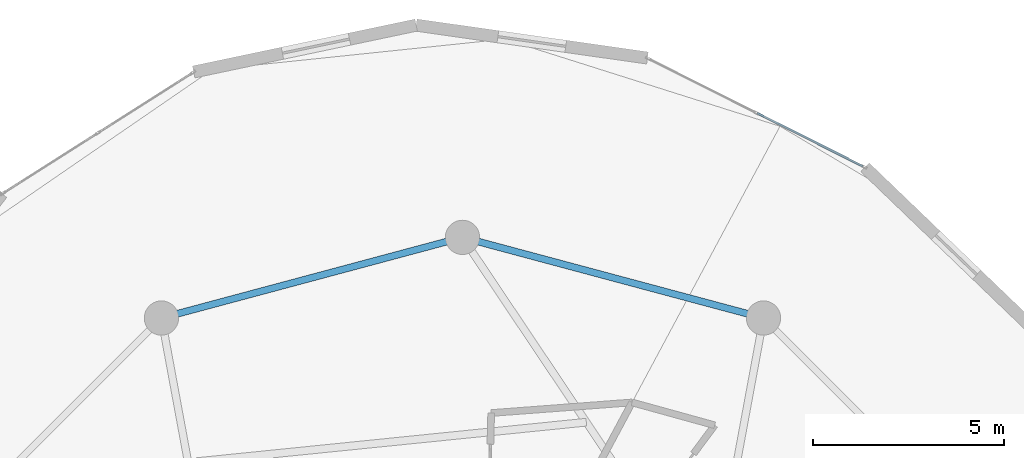
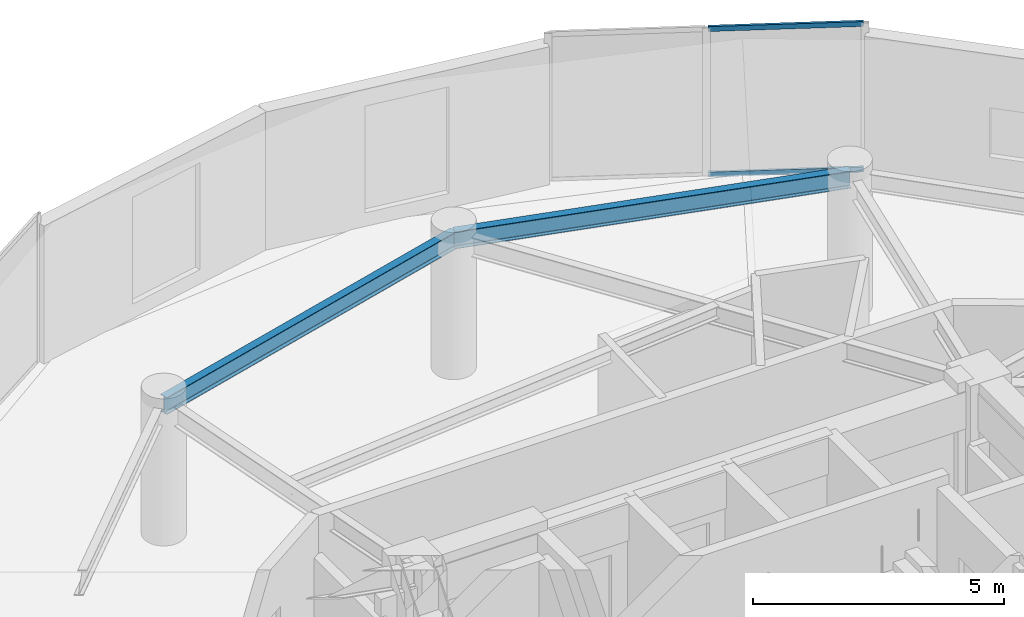
# One storey, part 12 of 19: 2 beams, 2 members, 1 element without a shape of its own.
"""IFC4 building model written with IfcOpenShell, lengths in metres."""

from ifc_helpers import new_model, si_unit, direction, frame, origin, origin_2d, place, context, subcontext, project, spatial, hollow_rectangle, i_section, extrude, source, transform, mapped, material, layer, layer_set, material_profile, profile_set, type_object, element, aggregate, save


model = new_model("IFC4")

# Units and contexts
model_context = context("Model", 3, precision=1e-05, world=origin(), true_north=direction((0.0, 1.0)))
body_context = subcontext(model_context, "Body", "Model", "MODEL_VIEW")
ifc_project = project(units=[si_unit("LENGTHUNIT", "METRE"), si_unit("AREAUNIT", "SQUARE_METRE"), si_unit("VOLUMEUNIT", "CUBIC_METRE"), si_unit("PLANEANGLEUNIT", "RADIAN"), si_unit("MASSUNIT", "GRAM", prefix="KILO")], contexts=[model_context])

# Site, building, storey
site_placement = place(None, origin())
site = spatial("IfcSite", under=ifc_project, at=site_placement, CompositionType="ELEMENT")
building_placement = place(site_placement, origin())
building = spatial("IfcBuilding", under=site, at=building_placement, Name="Solvirekh Grand Hotel", CompositionType="ELEMENT")
storey_placement = place(building_placement, frame((0.0, 0.0, 212.800048828125)))
storey = spatial("IfcBuildingStorey", under=building, at=storey_placement, Name="L55", CompositionType="ELEMENT", Elevation=212.800048828125)

# Beams
ifc_material_1 = material(Name="Steel S355", Category="steel")
ifc_material_profile_1 = material_profile(ifc_material_1, i_section(OverallWidth=0.180908203125, OverallDepth=0.4169921875, WebThickness=0.010009765625, FlangeThickness=0.01611328125, FilletRadius=0.011962890625, at=origin_2d()), Name="W410X85")
ifc_profile_set_1 = profile_set([ifc_material_profile_1], Name="Steel S355")
beam_type = type_object("IfcBeamType", Name="Spandrel_Ring_W410", PredefinedType="SPANDREL", material=ifc_profile_set_1)
for number, where, z_axis, x_axis, name in (
    (1, (7.89990234375, 13.68310546875, 3.15185546875), (-0.965920601923, 0.258838541915, 0.0), (-0.258838541915, -0.965920601923, 0.0), "L55 perimeter spandrel beam 3"),
    (2, (0.0, 15.800048828125, 3.15185546875), (-0.965920601923, -0.258838541915, 0.0), (0.258838541915, -0.965920601923, 0.0), "L55 perimeter spandrel beam 4"),
):
    element("IfcBeam", number, at=place(storey_placement, frame(where, z_axis=z_axis, x_axis=x_axis)), inside=storey, type_object=beam_type, Name=name, PredefinedType="SPANDREL", context=body_context, shape_type="SweptSolid", body=[
        extrude(i_section(OverallWidth=0.180908203125, OverallDepth=0.4169921875, WebThickness=0.010009765625, FlangeThickness=0.01611328125, FilletRadius=0.011962890625, at=origin_2d()), origin(), (0.0, 0.0, 1.0), 8.1787109375),
    ])

# Curtain wall, members
ifc_material_2 = material(Name="Anodized Bronze Aluminium 6063-T6", Category="aluminium")
ifc_layer = layer(ifc_material_2, 0.159912109375)
ifc_layer_set = layer_set([ifc_layer], Name="Anodized Bronze Aluminium 6063-T6")
curtain_wall_type = type_object("IfcCurtainWallType", Name="CW_Sys4_HighZoneFlushBronzeCW", PredefinedType="NOTDEFINED", material=ifc_layer_set)
curtain_wall_placement = place(storey_placement, origin())
curtain_wall = element("IfcCurtainWall", 3, at=curtain_wall_placement, inside=storey, type_object=curtain_wall_type, Name="L55 unitised bronze-glass curtain wall CW-L55-C08", PredefinedType="NOTDEFINED")
ifc_material_profile_2 = material_profile(ifc_material_2, hollow_rectangle(XDim=0.054931640625, YDim=0.1201171875, WallThickness=0.00390625, at=origin_2d()), Name="ALU RHS 120X55X4")
ifc_profile_set_2 = profile_set([ifc_material_profile_2], Name="Anodized Bronze Aluminium 6063-T6")
member_type = type_object("IfcMemberType", Name="CWTransom_Sys4", PredefinedType="USERDEFINED", material=ifc_profile_set_2)
shared_shape = source(origin(), body_context, "Body", "SweptSolid", [
    extrude(hollow_rectangle(XDim=0.054931640625, YDim=0.1201171875, WallThickness=0.00390625, at=origin_2d()), origin(), (0.0, 0.0, 1.0), 3.104736328125),
])
member_1_placement = place(storey_placement, frame((10.510498046875, 17.6650390625, 0.02734375), z_axis=(-0.893371000747, 0.449319769234, 0.0), x_axis=(-0.449319769234, -0.893371000747, 0.0)))
member_1 = element("IfcMember", 4, at=member_1_placement, type_object=member_type, Name="U04 transom 1.1", ObjectType="TRANSOM", PredefinedType="USERDEFINED", context=body_context, shape_type="MappedRepresentation", body=[
    mapped(shared_shape, transform((0.0, 0.0, 0.0), x_axis=(1.0, 0.0, 0.0), y_axis=(0.0, 1.0, 0.0), z_axis=(0.0, 0.0, 1.0), scale=1.0)),
])
member_2_placement = place(storey_placement, frame((10.510498046875, 17.6650390625, 3.572509765625), z_axis=(-0.893371000747, 0.449319769234, 0.0), x_axis=(-0.449319769234, -0.893371000747, 0.0)))
member_2 = element("IfcMember", 5, at=member_2_placement, type_object=member_type, Name="U04 transom 1.2", ObjectType="TRANSOM", PredefinedType="USERDEFINED", context=body_context, shape_type="MappedRepresentation", body=[
    mapped(shared_shape, transform((0.0, 0.0, 0.0), x_axis=(1.0, 0.0, 0.0), y_axis=(0.0, 1.0, 0.0), z_axis=(0.0, 0.0, 1.0), scale=1.0)),
])
aggregate(curtain_wall, [member_1, member_2])

save(model, "model.ifc")
